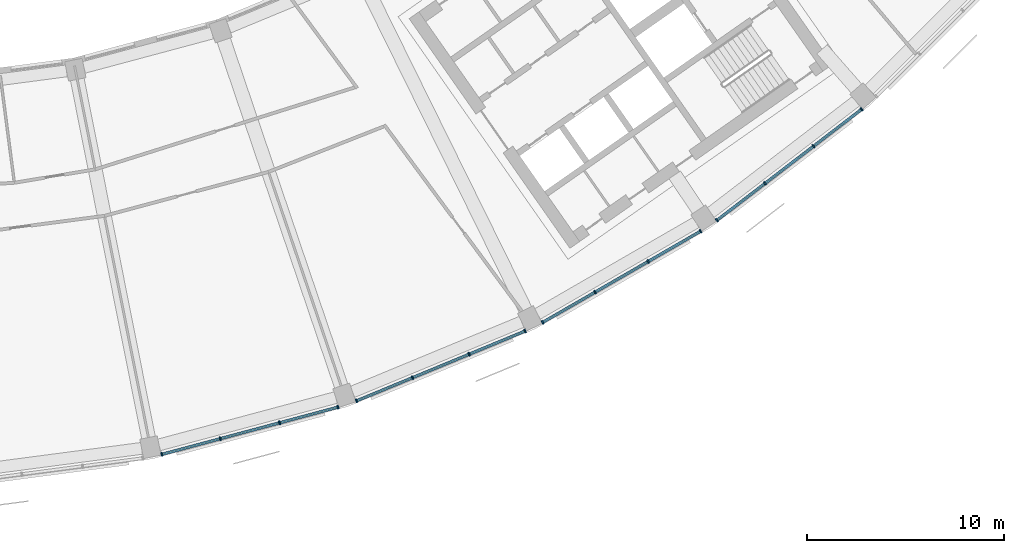
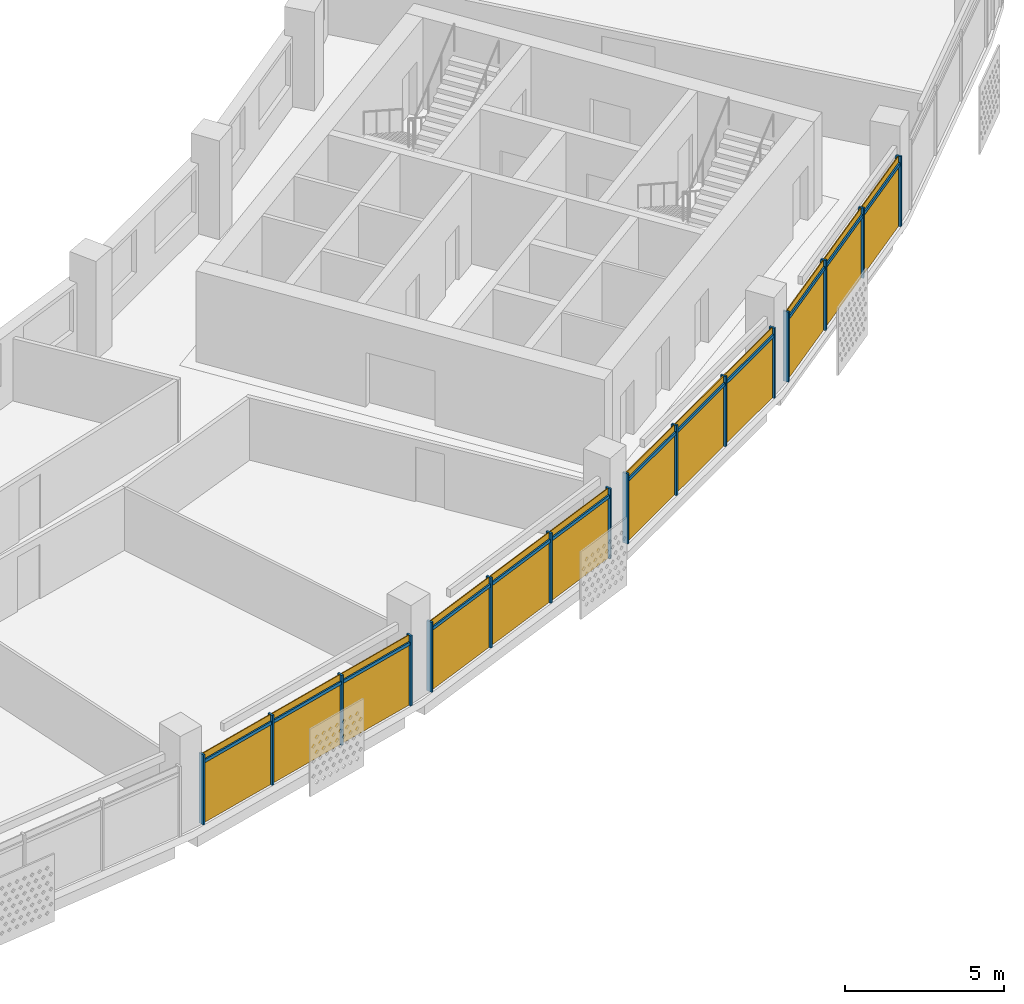
# One storey, part 21 of 28: 28 members, 4 curtain walls.
"""IFC4 building model written with IfcOpenShell, lengths in metres."""

from ifc_helpers import new_model, si_unit, direction, frame, origin, origin_2d, place, context, subcontext, project, spatial, rectangle, extrude, material, material_profile, profile_set, type_object, element, aggregate, save


model = new_model("IFC4")

# Units and contexts
model_context = context("Model", 3, precision=1e-05, world=origin(), true_north=direction((0.0, 1.0)))
body_context = subcontext(model_context, "Body", "Model", "MODEL_VIEW")
ifc_project = project(units=[si_unit("LENGTHUNIT", "METRE"), si_unit("AREAUNIT", "SQUARE_METRE"), si_unit("VOLUMEUNIT", "CUBIC_METRE"), si_unit("PLANEANGLEUNIT", "RADIAN"), si_unit("MASSUNIT", "GRAM", prefix="KILO")], contexts=[model_context])

# Member
ifc_material = material(Name="Aluminium 6063-T6 anodised", Category="aluminium")
ifc_material_profile_1 = material_profile(ifc_material, rectangle(XDim=0.199951171875, YDim=0.070068359375, at=origin_2d()))
ifc_profile_set_1 = profile_set([ifc_material_profile_1], Name="Aluminium 6063-T6 anodised")
member_type_1 = type_object("IfcMemberType", Name="Mullion 70 x 200 aluminium", PredefinedType="MULLION", material=ifc_profile_set_1)
site_placement = place(None, origin())
building_placement = place(site_placement, origin())
storey_placement = place(building_placement, frame((0.0, 0.0, 269.5)))
member_1_placement = place(storey_placement, frame((15.742431640625, -76.618408203125, 0.0), z_axis=(0.0, 0.0, 1.0), x_axis=(-0.258819045103, 0.965925826289, 0.0)))
member_1 = element("IfcMember", 1, at=member_1_placement, type_object=member_type_1, Name="e-cw1-L65-out09/M00", PredefinedType="MULLION", context=body_context, shape_type="SweptSolid", body=[
    extrude(rectangle(XDim=0.199951171875, YDim=0.070068359375, at=origin_2d()), origin(), (0.0, 0.0, 1.0), 2.699951171875),
])

member_2_placement = place(storey_placement, frame((18.708984375, -75.82373046875, 0.0), z_axis=(0.0, 0.0, 1.0), x_axis=(-0.258819045103, 0.965925826289, 0.0)))
member_2 = element("IfcMember", 2, at=member_2_placement, type_object=member_type_1, Name="e-cw1-L65-out09/M01", PredefinedType="MULLION", context=body_context, shape_type="SweptSolid", body=[
    extrude(rectangle(XDim=0.199951171875, YDim=0.070068359375, at=origin_2d()), origin(), (0.0, 0.0, 1.0), 2.699951171875),
])

member_3_placement = place(storey_placement, frame((21.70947265625, -75.019775390625, 0.0), z_axis=(0.0, 0.0, 1.0), x_axis=(-0.258819045103, 0.965925826289, 0.0)))
member_3 = element("IfcMember", 3, at=member_3_placement, type_object=member_type_1, Name="e-cw1-L65-out09/M02", PredefinedType="MULLION", context=body_context, shape_type="SweptSolid", body=[
    extrude(rectangle(XDim=0.199951171875, YDim=0.070068359375, at=origin_2d()), origin(), (0.0, 0.0, 1.0), 2.699951171875),
])

member_4_placement = place(storey_placement, frame((24.676025390625, -74.224853515625, 0.0), z_axis=(0.0, 0.0, 1.0), x_axis=(-0.258819045103, 0.965925826289, 0.0)))
member_4 = element("IfcMember", 4, at=member_4_placement, type_object=member_type_1, Name="e-cw1-L65-out09/M03", PredefinedType="MULLION", context=body_context, shape_type="SweptSolid", body=[
    extrude(rectangle(XDim=0.199951171875, YDim=0.070068359375, at=origin_2d()), origin(), (0.0, 0.0, 1.0), 2.699951171875),
])

member_5_placement = place(storey_placement, frame((25.6083984375, -73.908203125, 0.0), z_axis=(0.0, 0.0, 1.0), x_axis=(-0.382683432365, 0.923879532511, 0.0)))
member_5 = element("IfcMember", 5, at=member_5_placement, type_object=member_type_1, Name="e-cw1-L65-out10/M00", PredefinedType="MULLION", context=body_context, shape_type="SweptSolid", body=[
    extrude(rectangle(XDim=0.199951171875, YDim=0.070068359375, at=origin_2d()), origin(), (0.0, 0.0, 1.0), 2.699951171875),
])

member_6_placement = place(storey_placement, frame((28.44580078125, -72.73291015625, 0.0), z_axis=(0.0, 0.0, 1.0), x_axis=(-0.382683432365, 0.923879532511, 0.0)))
member_6 = element("IfcMember", 6, at=member_6_placement, type_object=member_type_1, Name="e-cw1-L65-out10/M01", PredefinedType="MULLION", context=body_context, shape_type="SweptSolid", body=[
    extrude(rectangle(XDim=0.199951171875, YDim=0.070068359375, at=origin_2d()), origin(), (0.0, 0.0, 1.0), 2.699951171875),
])

member_7_placement = place(storey_placement, frame((31.315673828125, -71.544189453125, 0.0), z_axis=(0.0, 0.0, 1.0), x_axis=(-0.382683432365, 0.923879532511, 0.0)))
member_7 = element("IfcMember", 7, at=member_7_placement, type_object=member_type_1, Name="e-cw1-L65-out10/M02", PredefinedType="MULLION", context=body_context, shape_type="SweptSolid", body=[
    extrude(rectangle(XDim=0.199951171875, YDim=0.070068359375, at=origin_2d()), origin(), (0.0, 0.0, 1.0), 2.699951171875),
])

member_8_placement = place(storey_placement, frame((34.153076171875, -70.368896484375, 0.0), z_axis=(0.0, 0.0, 1.0), x_axis=(-0.382683432365, 0.923879532511, 0.0)))
member_8 = element("IfcMember", 8, at=member_8_placement, type_object=member_type_1, Name="e-cw1-L65-out10/M03", PredefinedType="MULLION", context=body_context, shape_type="SweptSolid", body=[
    extrude(rectangle(XDim=0.199951171875, YDim=0.070068359375, at=origin_2d()), origin(), (0.0, 0.0, 1.0), 2.699951171875),
])

member_9_placement = place(storey_placement, frame((35.036376953125, -69.933349609375, 0.0), z_axis=(0.0, 0.0, 1.0), x_axis=(-0.5, 0.866025403784, 0.0)))
member_9 = element("IfcMember", 9, at=member_9_placement, type_object=member_type_1, Name="e-cw1-L65-out11/M00", PredefinedType="MULLION", context=body_context, shape_type="SweptSolid", body=[
    extrude(rectangle(XDim=0.199951171875, YDim=0.070068359375, at=origin_2d()), origin(), (0.0, 0.0, 1.0), 2.699951171875),
])

member_10_placement = place(storey_placement, frame((37.696044921875, -68.397705078125, 0.0), z_axis=(0.0, 0.0, 1.0), x_axis=(-0.5, 0.866025403784, 0.0)))
member_10 = element("IfcMember", 10, at=member_10_placement, type_object=member_type_1, Name="e-cw1-L65-out11/M01", PredefinedType="MULLION", context=body_context, shape_type="SweptSolid", body=[
    extrude(rectangle(XDim=0.199951171875, YDim=0.070068359375, at=origin_2d()), origin(), (0.0, 0.0, 1.0), 2.699951171875),
])

member_11_placement = place(storey_placement, frame((40.38623046875, -66.8447265625, 0.0), z_axis=(0.0, 0.0, 1.0), x_axis=(-0.5, 0.866025403784, 0.0)))
member_11 = element("IfcMember", 11, at=member_11_placement, type_object=member_type_1, Name="e-cw1-L65-out11/M02", PredefinedType="MULLION", context=body_context, shape_type="SweptSolid", body=[
    extrude(rectangle(XDim=0.199951171875, YDim=0.070068359375, at=origin_2d()), origin(), (0.0, 0.0, 1.0), 2.699951171875),
])

member_12_placement = place(storey_placement, frame((43.0458984375, -65.30908203125, 0.0), z_axis=(0.0, 0.0, 1.0), x_axis=(-0.5, 0.866025403784, 0.0)))
member_12 = element("IfcMember", 12, at=member_12_placement, type_object=member_type_1, Name="e-cw1-L65-out11/M03", PredefinedType="MULLION", context=body_context, shape_type="SweptSolid", body=[
    extrude(rectangle(XDim=0.199951171875, YDim=0.070068359375, at=origin_2d()), origin(), (0.0, 0.0, 1.0), 2.699951171875),
])

member_13_placement = place(storey_placement, frame((43.86474609375, -64.761962890625, 0.0), z_axis=(0.0, 0.0, 1.0), x_axis=(-0.608761429009, 0.793353340291, 0.0)))
member_13 = element("IfcMember", 13, at=member_13_placement, type_object=member_type_1, Name="e-cw1-L65-out12/M00", PredefinedType="MULLION", context=body_context, shape_type="SweptSolid", body=[
    extrude(rectangle(XDim=0.199951171875, YDim=0.070068359375, at=origin_2d()), origin(), (0.0, 0.0, 1.0), 2.699951171875),
])

member_14_placement = place(storey_placement, frame((46.30126953125, -62.892333984375, 0.0), z_axis=(0.0, 0.0, 1.0), x_axis=(-0.608761429009, 0.793353340291, 0.0)))
member_14 = element("IfcMember", 14, at=member_14_placement, type_object=member_type_1, Name="e-cw1-L65-out12/M01", PredefinedType="MULLION", context=body_context, shape_type="SweptSolid", body=[
    extrude(rectangle(XDim=0.199951171875, YDim=0.070068359375, at=origin_2d()), origin(), (0.0, 0.0, 1.0), 2.699951171875),
])

member_15_placement = place(storey_placement, frame((48.765625, -61.001220703125, 0.0), z_axis=(0.0, 0.0, 1.0), x_axis=(-0.608761429009, 0.793353340291, 0.0)))
member_15 = element("IfcMember", 15, at=member_15_placement, type_object=member_type_1, Name="e-cw1-L65-out12/M02", PredefinedType="MULLION", context=body_context, shape_type="SweptSolid", body=[
    extrude(rectangle(XDim=0.199951171875, YDim=0.070068359375, at=origin_2d()), origin(), (0.0, 0.0, 1.0), 2.699951171875),
])

member_16_placement = place(storey_placement, frame((51.2021484375, -59.131591796875, 0.0), z_axis=(0.0, 0.0, 1.0), x_axis=(-0.608761429009, 0.793353340291, 0.0)))
member_16 = element("IfcMember", 16, at=member_16_placement, type_object=member_type_1, Name="e-cw1-L65-out12/M03", PredefinedType="MULLION", context=body_context, shape_type="SweptSolid", body=[
    extrude(rectangle(XDim=0.199951171875, YDim=0.070068359375, at=origin_2d()), origin(), (0.0, 0.0, 1.0), 2.699951171875),
])

ifc_material_profile_2 = material_profile(ifc_material, rectangle(XDim=0.139892578125, YDim=0.1201171875, at=origin_2d()))
ifc_profile_set_2 = profile_set([ifc_material_profile_2], Name="Aluminium 6063-T6 anodised")
member_type_2 = type_object("IfcMemberType", Name="Transom 120 x 140 aluminium", PredefinedType="USERDEFINED", material=ifc_profile_set_2)
member_17_placement = place(storey_placement, frame((15.776123046875, -76.609375, 2.39990234375), z_axis=(0.965944058071, 0.258750993577, 0.0), x_axis=(-0.258750993577, 0.965944058071, 0.0)))
member_17 = element("IfcMember", 17, at=member_17_placement, type_object=member_type_2, Name="e-cw1-L65-out09/T00", ObjectType="TRANSOM", PredefinedType="USERDEFINED", context=body_context, shape_type="SweptSolid", body=[
    extrude(rectangle(XDim=0.139892578125, YDim=0.1201171875, at=origin_2d()), origin(), (0.0, 0.0, 1.0), 3.00146484375),
])

member_18_placement = place(storey_placement, frame((18.74267578125, -75.814453125, 2.39990234375), z_axis=(0.965943386189, 0.258753501769, 0.0), x_axis=(-0.258753501769, 0.965943386189, 0.0)))
member_18 = element("IfcMember", 18, at=member_18_placement, type_object=member_type_2, Name="e-cw1-L65-out09/T01", ObjectType="TRANSOM", PredefinedType="USERDEFINED", context=body_context, shape_type="SweptSolid", body=[
    extrude(rectangle(XDim=0.139892578125, YDim=0.1201171875, at=origin_2d()), origin(), (0.0, 0.0, 1.0), 3.036376953125),
])

member_19_placement = place(storey_placement, frame((21.7431640625, -75.0107421875, 2.39990234375), z_axis=(0.965918275034, 0.258847225127, 0.0), x_axis=(-0.258847225127, 0.965918275034, 0.0)))
member_19 = element("IfcMember", 19, at=member_19_placement, type_object=member_type_2, Name="e-cw1-L65-out09/T02", ObjectType="TRANSOM", PredefinedType="USERDEFINED", context=body_context, shape_type="SweptSolid", body=[
    extrude(rectangle(XDim=0.139892578125, YDim=0.1201171875, at=origin_2d()), origin(), (0.0, 0.0, 1.0), 3.001220703125),
])

member_20_placement = place(storey_placement, frame((25.640869140625, -73.894775390625, 2.39990234375), z_axis=(0.923885958475, 0.382667918347, 0.0), x_axis=(-0.382667918347, 0.923885958475, 0.0)))
member_20 = element("IfcMember", 20, at=member_20_placement, type_object=member_type_2, Name="e-cw1-L65-out10/T00", ObjectType="TRANSOM", PredefinedType="USERDEFINED", context=body_context, shape_type="SweptSolid", body=[
    extrude(rectangle(XDim=0.139892578125, YDim=0.1201171875, at=origin_2d()), origin(), (0.0, 0.0, 1.0), 3.001220703125),
])

member_21_placement = place(storey_placement, frame((28.478271484375, -72.719482421875, 2.39990234375), z_axis=(0.923888454036, 0.38266189319, 0.0), x_axis=(-0.38266189319, 0.923888454036, 0.0)))
member_21 = element("IfcMember", 21, at=member_21_placement, type_object=member_type_2, Name="e-cw1-L65-out10/T01", ObjectType="TRANSOM", PredefinedType="USERDEFINED", context=body_context, shape_type="SweptSolid", body=[
    extrude(rectangle(XDim=0.139892578125, YDim=0.1201171875, at=origin_2d()), origin(), (0.0, 0.0, 1.0), 3.036376953125),
])

member_22_placement = place(storey_placement, frame((31.347900390625, -71.53076171875, 2.39990234375), z_axis=(0.923897869521, 0.382639159907, 0.0), x_axis=(-0.382639159907, 0.923897869521, 0.0)))
member_22 = element("IfcMember", 22, at=member_22_placement, type_object=member_type_2, Name="e-cw1-L65-out10/T02", ObjectType="TRANSOM", PredefinedType="USERDEFINED", context=body_context, shape_type="SweptSolid", body=[
    extrude(rectangle(XDim=0.139892578125, YDim=0.1201171875, at=origin_2d()), origin(), (0.0, 0.0, 1.0), 3.00146484375),
])

member_23_placement = place(storey_placement, frame((35.066650390625, -69.915771484375, 2.39990234375), z_axis=(0.866041993159, 0.49997126526, 0.0), x_axis=(-0.49997126526, 0.866041993159, 0.0)))
member_23 = element("IfcMember", 23, at=member_23_placement, type_object=member_type_2, Name="e-cw1-L65-out11/T00", ObjectType="TRANSOM", PredefinedType="USERDEFINED", context=body_context, shape_type="SweptSolid", body=[
    extrude(rectangle(XDim=0.139892578125, YDim=0.1201171875, at=origin_2d()), origin(), (0.0, 0.0, 1.0), 3.001220703125),
])

member_24_placement = place(storey_placement, frame((37.726318359375, -68.38037109375, 2.39990234375), z_axis=(0.866012861315, 0.500021723565, 0.0), x_axis=(-0.500021723565, 0.866012861315, 0.0)))
member_24 = element("IfcMember", 24, at=member_24_placement, type_object=member_type_2, Name="e-cw1-L65-out11/T01", ObjectType="TRANSOM", PredefinedType="USERDEFINED", context=body_context, shape_type="SweptSolid", body=[
    extrude(rectangle(XDim=0.139892578125, YDim=0.1201171875, at=origin_2d()), origin(), (0.0, 0.0, 1.0), 3.036376953125),
])

member_25_placement = place(storey_placement, frame((40.41650390625, -66.8271484375, 2.39990234375), z_axis=(0.866041993159, 0.49997126526, 0.0), x_axis=(-0.49997126526, 0.866041993159, 0.0)))
member_25 = element("IfcMember", 25, at=member_25_placement, type_object=member_type_2, Name="e-cw1-L65-out11/T02", ObjectType="TRANSOM", PredefinedType="USERDEFINED", context=body_context, shape_type="SweptSolid", body=[
    extrude(rectangle(XDim=0.139892578125, YDim=0.1201171875, at=origin_2d()), origin(), (0.0, 0.0, 1.0), 3.001220703125),
])

member_26_placement = place(storey_placement, frame((43.892578125, -64.74072265625, 2.39990234375), z_axis=(0.793312980955, 0.60881402271, 0.0), x_axis=(-0.60881402271, 0.793312980955, 0.0)))
member_26 = element("IfcMember", 26, at=member_26_placement, type_object=member_type_2, Name="e-cw1-L65-out12/T00", ObjectType="TRANSOM", PredefinedType="USERDEFINED", context=body_context, shape_type="SweptSolid", body=[
    extrude(rectangle(XDim=0.139892578125, YDim=0.1201171875, at=origin_2d()), origin(), (0.0, 0.0, 1.0), 3.001220703125),
])

member_27_placement = place(storey_placement, frame((46.3291015625, -62.87109375, 2.39990234375), z_axis=(0.79333190513, 0.608789362836, 0.0), x_axis=(-0.608789362836, 0.79333190513, 0.0)))
member_27 = element("IfcMember", 27, at=member_27_placement, type_object=member_type_2, Name="e-cw1-L65-out12/T01", ObjectType="TRANSOM", PredefinedType="USERDEFINED", context=body_context, shape_type="SweptSolid", body=[
    extrude(rectangle(XDim=0.139892578125, YDim=0.1201171875, at=origin_2d()), origin(), (0.0, 0.0, 1.0), 3.0361328125),
])

member_28_placement = place(storey_placement, frame((48.79345703125, -60.97998046875, 2.39990234375), z_axis=(0.793352271072, 0.60876282244, 0.0), x_axis=(-0.60876282244, 0.793352271072, 0.0)))
member_28 = element("IfcMember", 28, at=member_28_placement, type_object=member_type_2, Name="e-cw1-L65-out12/T02", ObjectType="TRANSOM", PredefinedType="USERDEFINED", context=body_context, shape_type="SweptSolid", body=[
    extrude(rectangle(XDim=0.139892578125, YDim=0.1201171875, at=origin_2d()), origin(), (0.0, 0.0, 1.0), 3.0009765625),
])

# Site, building, storey
site = spatial("IfcSite", under=ifc_project, at=site_placement, CompositionType="ELEMENT")
building = spatial("IfcBuilding", under=site, at=building_placement, Name="Qamariyya Broadcast Tower", CompositionType="ELEMENT")
storey = spatial("IfcBuildingStorey", under=building, at=storey_placement, Name="L65", CompositionType="ELEMENT", Elevation=269.5)

# Curtain wall
curtain_wall_type = type_object("IfcCurtainWallType", Name="Unitised curtain wall, anodised aluminium", PredefinedType="NOTDEFINED", material=ifc_material)
curtain_wall_1_placement = place(storey_placement, origin())
curtain_wall_1 = element("IfcCurtainWall", 29, at=curtain_wall_1_placement, inside=storey, type_object=curtain_wall_type, Name="e-cw1-L65-out09", PredefinedType="NOTDEFINED", context=body_context, shape_type="SweptSolid", body=[
    extrude(rectangle(XDim=3.001220703125, YDim=0.031982421875, at=origin_2d()), frame((17.2255859375, -76.22119140625, 0.0), x_axis=(0.965925949265, 0.258818586151, 0.0)), (0.0, 0.0, 1.0), 2.340087890625),
    extrude(rectangle(XDim=3.001220703125, YDim=0.031982421875, at=origin_2d()), frame((17.2255859375, -76.22119140625, 2.4599609375), x_axis=(0.965925949265, 0.258818586151, 0.0)), (0.0, 0.0, 1.0), 0.239990234375),
    extrude(rectangle(XDim=3.0361328125, YDim=0.031982421875, at=origin_2d()), frame((20.208984375, -75.421875, 0.0), x_axis=(0.965925949265, 0.258818586151, 0.0)), (0.0, 0.0, 1.0), 2.340087890625),
    extrude(rectangle(XDim=3.0361328125, YDim=0.031982421875, at=origin_2d()), frame((20.208984375, -75.421875, 2.4599609375), x_axis=(0.965925949265, 0.258818586151, 0.0)), (0.0, 0.0, 1.0), 0.239990234375),
    extrude(rectangle(XDim=3.001220703125, YDim=0.031982421875, at=origin_2d()), frame((23.192626953125, -74.622314453125, 0.0), x_axis=(0.965925949265, 0.258818586151, 0.0)), (0.0, 0.0, 1.0), 2.340087890625),
    extrude(rectangle(XDim=3.001220703125, YDim=0.031982421875, at=origin_2d()), frame((23.192626953125, -74.622314453125, 2.4599609375), x_axis=(0.965925949265, 0.258818586151, 0.0)), (0.0, 0.0, 1.0), 0.239990234375),
])

aggregate(curtain_wall_1, [member_1, member_2, member_3, member_4, member_17, member_18, member_19])

curtain_wall_2_placement = place(storey_placement, origin())
curtain_wall_2 = element("IfcCurtainWall", 30, at=curtain_wall_2_placement, inside=storey, type_object=curtain_wall_type, Name="e-cw1-L65-out10", PredefinedType="NOTDEFINED", context=body_context, shape_type="SweptSolid", body=[
    extrude(rectangle(XDim=3.001220703125, YDim=0.031982421875, at=origin_2d()), frame((27.02734375, -73.320556640625, 0.0), x_axis=(0.923877930643, 0.382687299595, 0.0)), (0.0, 0.0, 1.0), 2.340087890625),
    extrude(rectangle(XDim=3.001220703125, YDim=0.031982421875, at=origin_2d()), frame((27.02734375, -73.320556640625, 2.4599609375), x_axis=(0.923877930643, 0.382687299595, 0.0)), (0.0, 0.0, 1.0), 0.239990234375),
    extrude(rectangle(XDim=3.0361328125, YDim=0.031982421875, at=origin_2d()), frame((29.880859375, -72.138671875, 0.0), x_axis=(0.923877930643, 0.382687299595, 0.0)), (0.0, 0.0, 1.0), 2.340087890625),
    extrude(rectangle(XDim=3.0361328125, YDim=0.031982421875, at=origin_2d()), frame((29.880859375, -72.138671875, 2.4599609375), x_axis=(0.923877930643, 0.382687299595, 0.0)), (0.0, 0.0, 1.0), 0.239990234375),
    extrude(rectangle(XDim=3.001220703125, YDim=0.031982421875, at=origin_2d()), frame((32.734375, -70.95654296875, 0.0), x_axis=(0.923877930643, 0.382687299595, 0.0)), (0.0, 0.0, 1.0), 2.340087890625),
    extrude(rectangle(XDim=3.001220703125, YDim=0.031982421875, at=origin_2d()), frame((32.734375, -70.95654296875, 2.4599609375), x_axis=(0.923877930643, 0.382687299595, 0.0)), (0.0, 0.0, 1.0), 0.239990234375),
])

aggregate(curtain_wall_2, [member_5, member_6, member_7, member_8, member_20, member_21, member_22])

curtain_wall_3_placement = place(storey_placement, origin())
curtain_wall_3 = element("IfcCurtainWall", 31, at=curtain_wall_3_placement, inside=storey, type_object=curtain_wall_type, Name="e-cw1-L65-out11", PredefinedType="NOTDEFINED", context=body_context, shape_type="SweptSolid", body=[
    extrude(rectangle(XDim=3.001220703125, YDim=0.031982421875, at=origin_2d()), frame((36.3662109375, -69.16552734375, 0.0), x_axis=(0.866017611601, 0.500013496215, 0.0)), (0.0, 0.0, 1.0), 2.340087890625),
    extrude(rectangle(XDim=3.001220703125, YDim=0.031982421875, at=origin_2d()), frame((36.3662109375, -69.16552734375, 2.4599609375), x_axis=(0.866017611601, 0.500013496215, 0.0)), (0.0, 0.0, 1.0), 0.239990234375),
    extrude(rectangle(XDim=3.0361328125, YDim=0.031982421875, at=origin_2d()), frame((39.041015625, -67.62109375, 0.0), x_axis=(0.866017611601, 0.500013496215, 0.0)), (0.0, 0.0, 1.0), 2.340087890625),
    extrude(rectangle(XDim=3.0361328125, YDim=0.031982421875, at=origin_2d()), frame((39.041015625, -67.62109375, 2.4599609375), x_axis=(0.866017611601, 0.500013496215, 0.0)), (0.0, 0.0, 1.0), 0.239990234375),
    extrude(rectangle(XDim=3.001220703125, YDim=0.031982421875, at=origin_2d()), frame((41.716064453125, -66.076904296875, 0.0), x_axis=(0.866017611601, 0.500013496215, 0.0)), (0.0, 0.0, 1.0), 2.340087890625),
    extrude(rectangle(XDim=3.001220703125, YDim=0.031982421875, at=origin_2d()), frame((41.716064453125, -66.076904296875, 2.4599609375), x_axis=(0.866017611601, 0.500013496215, 0.0)), (0.0, 0.0, 1.0), 0.239990234375),
])

aggregate(curtain_wall_3, [member_9, member_10, member_11, member_12, member_23, member_24, member_25])

curtain_wall_4_placement = place(storey_placement, origin())
curtain_wall_4 = element("IfcCurtainWall", 32, at=curtain_wall_4_placement, inside=storey, type_object=curtain_wall_type, Name="e-cw1-L65-out12", PredefinedType="NOTDEFINED", context=body_context, shape_type="SweptSolid", body=[
    extrude(rectangle(XDim=3.001220703125, YDim=0.031982421875, at=origin_2d()), frame((45.0830078125, -63.8271484375, 0.0), x_axis=(0.793355818396, 0.608758199466, 0.0)), (0.0, 0.0, 1.0), 2.340087890625),
    extrude(rectangle(XDim=3.001220703125, YDim=0.031982421875, at=origin_2d()), frame((45.0830078125, -63.8271484375, 2.4599609375), x_axis=(0.793355818396, 0.608758199466, 0.0)), (0.0, 0.0, 1.0), 0.239990234375),
    extrude(rectangle(XDim=3.0361328125, YDim=0.031982421875, at=origin_2d()), frame((47.533447265625, -61.94677734375, 0.0), x_axis=(0.793355818396, 0.608758199466, 0.0)), (0.0, 0.0, 1.0), 2.340087890625),
    extrude(rectangle(XDim=3.0361328125, YDim=0.031982421875, at=origin_2d()), frame((47.533447265625, -61.94677734375, 2.4599609375), x_axis=(0.793355818396, 0.608758199466, 0.0)), (0.0, 0.0, 1.0), 0.239990234375),
    extrude(rectangle(XDim=3.001220703125, YDim=0.031982421875, at=origin_2d()), frame((49.98388671875, -60.06640625, 0.0), x_axis=(0.793355818396, 0.608758199466, 0.0)), (0.0, 0.0, 1.0), 2.340087890625),
    extrude(rectangle(XDim=3.001220703125, YDim=0.031982421875, at=origin_2d()), frame((49.98388671875, -60.06640625, 2.4599609375), x_axis=(0.793355818396, 0.608758199466, 0.0)), (0.0, 0.0, 1.0), 0.239990234375),
])

aggregate(curtain_wall_4, [member_13, member_14, member_15, member_16, member_26, member_27, member_28])

save(model, "model.ifc")
